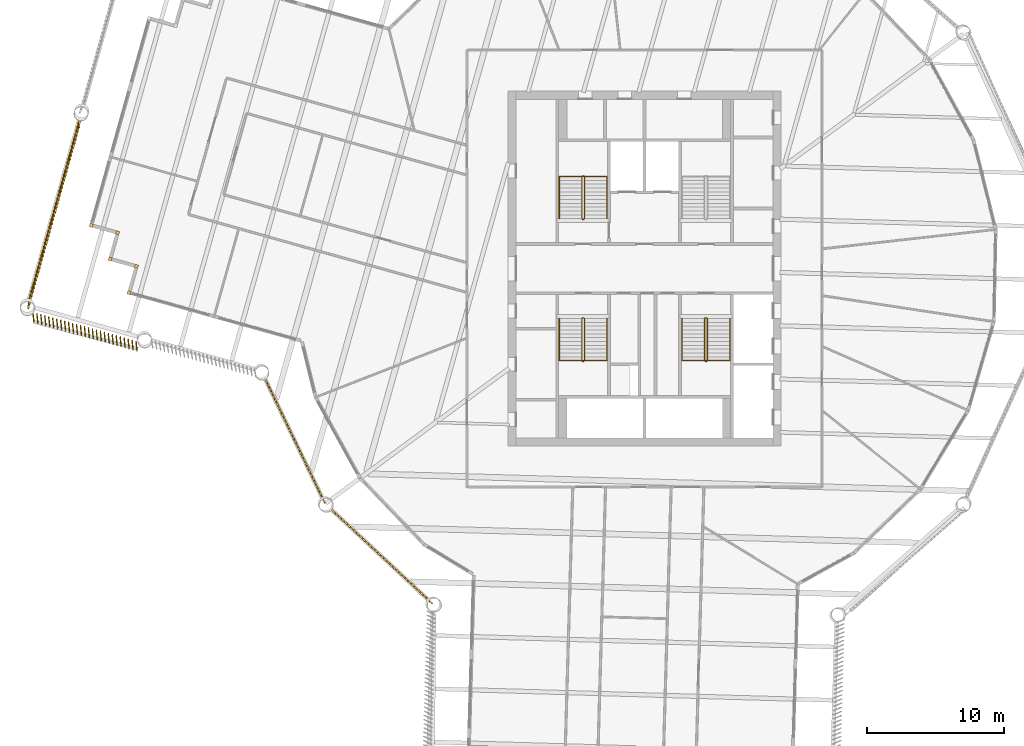
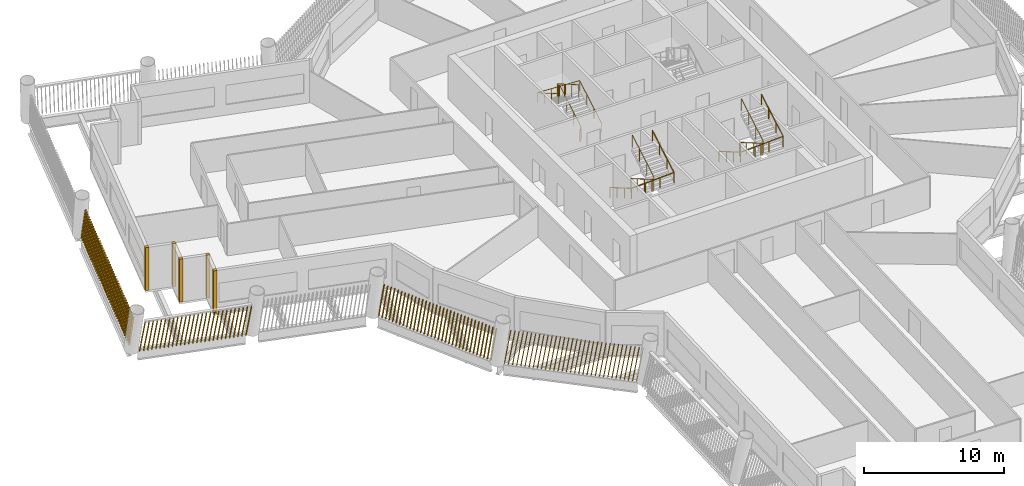
# One storey, part 12 of 15: 9 shading devices, 6 railings.
"""IFC4 building model written with IfcOpenShell, lengths in metres."""

from ifc_helpers import new_model, si_unit, direction, frame, frame_2d, origin, origin_2d, place, context, subcontext, project, spatial, rectangle, circle, composite_profile, extrude, material, type_object, element, save


model = new_model("IFC4")

# Units and contexts
model_context = context("Model", 3, precision=1e-05, world=origin(), true_north=direction((0.0, 1.0)))
body_context = subcontext(model_context, "Body", "Model", "MODEL_VIEW")
ifc_project = project(units=[si_unit("LENGTHUNIT", "METRE"), si_unit("AREAUNIT", "SQUARE_METRE"), si_unit("VOLUMEUNIT", "CUBIC_METRE"), si_unit("PLANEANGLEUNIT", "RADIAN"), si_unit("MASSUNIT", "GRAM", prefix="KILO")], contexts=[model_context])

# Site, building, storey
site_placement = place(None, origin())
site = spatial("IfcSite", under=ifc_project, at=site_placement, CompositionType="ELEMENT")
building_placement = place(site_placement, origin())
building = spatial("IfcBuilding", under=site, at=building_placement, Name="Tarsis Ring Headquarters", CompositionType="ELEMENT")
storey_placement = place(building_placement, frame((0.0, 0.0, 219.89990234375)))
storey = spatial("IfcBuildingStorey", under=building, at=storey_placement, Name="L51", CompositionType="ELEMENT", Elevation=219.89990234375)

# Railings
ifc_material_1 = material(Name="Steel S355", Category="steel")
railing_type_1 = type_object("IfcRailingType", Name="Core stair guard 1100", PredefinedType="GUARDRAIL", material=ifc_material_1)
railing_1_placement = place(storey_placement, frame((-4.5400390625, 3.610107421875, 0.0)))
element("IfcRailing", 1, at=railing_1_placement, inside=storey, type_object=railing_type_1, Name="L51 ST1 stair guard 1", PredefinedType="GUARDRAIL", context=body_context, shape_type="SweptSolid", body=[
    extrude(circle(Radius=0.02392578125, at=origin_2d()), frame((0.0, 0.0, 1.076171875), z_axis=(1.0, 0.0, 0.0), x_axis=(0.0, 1.0, 0.0)), (0.0, 0.0, 1.0), 0.080078125),
    extrude(circle(Radius=0.02392578125, at=origin_2d()), frame((0.080078125, 0.0, 1.076171875), z_axis=(0.282336740067, 0.280959487676, 0.917250092119), x_axis=(-0.705375805398, 0.708833529934, 0.0)), (0.0, 0.0, 1.0), 0.17724609375),
    extrude(circle(Radius=0.02392578125, at=origin_2d()), frame((0.130126953125, 0.0498046875, 1.23876953125), z_axis=(0.0, 0.864890721111, 0.501960198159), x_axis=(-1.0, 0.0, 0.0)), (0.0, 0.0, 1.0), 3.561279296875),
    extrude(circle(Radius=0.02392578125, at=origin_2d()), frame((0.130126953125, 3.1298828125, 3.0263671875), z_axis=(-0.707106781187, 0.707106781187, 0.0), x_axis=(-0.707106781187, -0.707106781187, 0.0)), (0.0, 0.0, 1.0), 0.07080078125),
    extrude(circle(Radius=0.02392578125, at=origin_2d()), frame((0.080078125, 3.179931640625, 3.0263671875), z_axis=(-1.0, 0.0, 0.0), x_axis=(0.0, -1.0, 0.0)), (0.0, 0.0, 1.0), 0.080078125),
    extrude(circle(Radius=0.02392578125, at=origin_2d()), frame((0.0, 3.179931640625, 3.0263671875), z_axis=(-0.282583949758, -0.282583949758, 0.916674763849), x_axis=(0.707106781187, -0.707106781187, 0.0)), (0.0, 0.0, 1.0), 0.177001953125),
    extrude(circle(Radius=0.02392578125, at=origin_2d()), frame((-0.050048828125, 3.1298828125, 3.1884765625), z_axis=(0.0, -0.864890721111, 0.501960198159), x_axis=(1.0, 0.0, 0.0)), (0.0, 0.0, 1.0), 3.561279296875),
    extrude(circle(Radius=0.02099609375, at=origin_2d()), origin(), (0.0, 0.0, 1.0), 1.052001953125),
    extrude(circle(Radius=0.02099609375, at=origin_2d()), frame((0.080078125, 0.0, 0.0)), (0.0, 0.0, 1.0), 1.052001953125),
    extrude(circle(Radius=0.02099609375, at=origin_2d()), frame((0.130126953125, 0.0498046875, 0.16259765625)), (0.0, 0.0, 1.0), 1.052001953125),
    extrude(circle(Radius=0.02099609375, at=origin_2d()), frame((0.130126953125, 1.076416015625, 0.758544921875)), (0.0, 0.0, 1.0), 1.052001953125),
    extrude(circle(Radius=0.02099609375, at=origin_2d()), frame((0.130126953125, 2.103271484375, 1.354248046875)), (0.0, 0.0, 1.0), 1.052001953125),
    extrude(circle(Radius=0.02099609375, at=origin_2d()), frame((0.130126953125, 3.1298828125, 1.9501953125)), (0.0, 0.0, 1.0), 1.052001953125),
    extrude(circle(Radius=0.02099609375, at=origin_2d()), frame((0.080078125, 3.179931640625, 1.9501953125)), (0.0, 0.0, 1.0), 1.052001953125),
    extrude(circle(Radius=0.02099609375, at=origin_2d()), frame((0.0, 3.179931640625, 1.9501953125)), (0.0, 0.0, 1.0), 1.052001953125),
    extrude(circle(Radius=0.02099609375, at=origin_2d()), frame((-0.050048828125, 3.1298828125, 2.112548828125)), (0.0, 0.0, 1.0), 1.052001953125),
    extrude(circle(Radius=0.02099609375, at=origin_2d()), frame((-0.050048828125, 2.103271484375, 2.70849609375)), (0.0, 0.0, 1.0), 1.052001953125),
    extrude(circle(Radius=0.02099609375, at=origin_2d()), frame((-0.050048828125, 1.076416015625, 3.30419921875)), (0.0, 0.0, 1.0), 1.052001953125),
    extrude(circle(Radius=0.02099609375, at=origin_2d()), frame((-0.050048828125, 0.0498046875, 3.900146484375)), (0.0, 0.0, 1.0), 1.052001953125),
])
railing_2_placement = place(storey_placement, frame((-4.4599609375, -3.610107421875, 0.0)))
element("IfcRailing", 2, at=railing_2_placement, inside=storey, type_object=railing_type_1, Name="L51 ST3 stair guard 1", PredefinedType="GUARDRAIL", context=body_context, shape_type="SweptSolid", body=[
    extrude(circle(Radius=0.02392578125, at=origin_2d()), frame((0.0, 0.0, 1.076171875), z_axis=(-1.0, 0.0, 0.0), x_axis=(0.0, -1.0, 0.0)), (0.0, 0.0, 1.0), 0.080078125),
    extrude(circle(Radius=0.02392578125, at=origin_2d()), frame((-0.080078125, 0.0, 1.076171875), z_axis=(-0.282336740067, -0.280959487676, 0.917250092119), x_axis=(0.705375805398, -0.708833529934, 0.0)), (0.0, 0.0, 1.0), 0.17724609375),
    extrude(circle(Radius=0.02392578125, at=origin_2d()), frame((-0.130126953125, -0.0498046875, 1.23876953125), z_axis=(0.0, -0.864890721111, 0.501960198159), x_axis=(1.0, 0.0, 0.0)), (0.0, 0.0, 1.0), 3.561279296875),
    extrude(circle(Radius=0.02392578125, at=origin_2d()), frame((-0.130126953125, -3.1298828125, 3.0263671875), z_axis=(0.707106781187, -0.707106781187, 0.0), x_axis=(0.707106781187, 0.707106781187, 0.0)), (0.0, 0.0, 1.0), 0.07080078125),
    extrude(circle(Radius=0.02392578125, at=origin_2d()), frame((-0.080078125, -3.179931640625, 3.0263671875), z_axis=(1.0, 0.0, 0.0), x_axis=(0.0, 1.0, 0.0)), (0.0, 0.0, 1.0), 0.080078125),
    extrude(circle(Radius=0.02392578125, at=origin_2d()), frame((0.0, -3.179931640625, 3.0263671875), z_axis=(0.282583949758, 0.282583949758, 0.916674763849), x_axis=(-0.707106781187, 0.707106781187, 0.0)), (0.0, 0.0, 1.0), 0.177001953125),
    extrude(circle(Radius=0.02392578125, at=origin_2d()), frame((0.050048828125, -3.1298828125, 3.1884765625), z_axis=(0.0, 0.864890721111, 0.501960198159), x_axis=(-1.0, 0.0, 0.0)), (0.0, 0.0, 1.0), 3.561279296875),
    extrude(circle(Radius=0.02099609375, at=origin_2d()), origin(), (0.0, 0.0, 1.0), 1.052001953125),
    extrude(circle(Radius=0.02099609375, at=origin_2d()), frame((-0.080078125, 0.0, 0.0)), (0.0, 0.0, 1.0), 1.052001953125),
    extrude(circle(Radius=0.02099609375, at=origin_2d()), frame((-0.130126953125, -0.0498046875, 0.16259765625)), (0.0, 0.0, 1.0), 1.052001953125),
    extrude(circle(Radius=0.02099609375, at=origin_2d()), frame((-0.130126953125, -1.076416015625, 0.758544921875)), (0.0, 0.0, 1.0), 1.052001953125),
    extrude(circle(Radius=0.02099609375, at=origin_2d()), frame((-0.130126953125, -2.103271484375, 1.354248046875)), (0.0, 0.0, 1.0), 1.052001953125),
    extrude(circle(Radius=0.02099609375, at=origin_2d()), frame((-0.130126953125, -3.1298828125, 1.9501953125)), (0.0, 0.0, 1.0), 1.052001953125),
    extrude(circle(Radius=0.02099609375, at=origin_2d()), frame((-0.080078125, -3.179931640625, 1.9501953125)), (0.0, 0.0, 1.0), 1.052001953125),
    extrude(circle(Radius=0.02099609375, at=origin_2d()), frame((0.0, -3.179931640625, 1.9501953125)), (0.0, 0.0, 1.0), 1.052001953125),
    extrude(circle(Radius=0.02099609375, at=origin_2d()), frame((0.050048828125, -3.1298828125, 2.112548828125)), (0.0, 0.0, 1.0), 1.052001953125),
    extrude(circle(Radius=0.02099609375, at=origin_2d()), frame((0.050048828125, -2.103271484375, 2.70849609375)), (0.0, 0.0, 1.0), 1.052001953125),
    extrude(circle(Radius=0.02099609375, at=origin_2d()), frame((0.050048828125, -1.076416015625, 3.30419921875)), (0.0, 0.0, 1.0), 1.052001953125),
    extrude(circle(Radius=0.02099609375, at=origin_2d()), frame((0.050048828125, -0.0498046875, 3.900146484375)), (0.0, 0.0, 1.0), 1.052001953125),
])
railing_3_placement = place(storey_placement, frame((4.5400390625, -3.610107421875, 0.0)))
element("IfcRailing", 3, at=railing_3_placement, inside=storey, type_object=railing_type_1, Name="L51 ST4 stair guard 1", PredefinedType="GUARDRAIL", context=body_context, shape_type="SweptSolid", body=[
    extrude(circle(Radius=0.02392578125, at=origin_2d()), frame((0.0, 0.0, 1.076171875), z_axis=(-1.0, 0.0, 0.0), x_axis=(0.0, -1.0, 0.0)), (0.0, 0.0, 1.0), 0.080078125),
    extrude(circle(Radius=0.02392578125, at=origin_2d()), frame((-0.080078125, 0.0, 1.076171875), z_axis=(-0.282336740067, -0.280959487676, 0.917250092119), x_axis=(0.705375805398, -0.708833529934, 0.0)), (0.0, 0.0, 1.0), 0.17724609375),
    extrude(circle(Radius=0.02392578125, at=origin_2d()), frame((-0.130126953125, -0.0498046875, 1.23876953125), z_axis=(0.0, -0.864890721111, 0.501960198159), x_axis=(1.0, 0.0, 0.0)), (0.0, 0.0, 1.0), 3.561279296875),
    extrude(circle(Radius=0.02392578125, at=origin_2d()), frame((-0.130126953125, -3.1298828125, 3.0263671875), z_axis=(0.707106781187, -0.707106781187, 0.0), x_axis=(0.707106781187, 0.707106781187, 0.0)), (0.0, 0.0, 1.0), 0.07080078125),
    extrude(circle(Radius=0.02392578125, at=origin_2d()), frame((-0.080078125, -3.179931640625, 3.0263671875), z_axis=(1.0, 0.0, 0.0), x_axis=(0.0, 1.0, 0.0)), (0.0, 0.0, 1.0), 0.080078125),
    extrude(circle(Radius=0.02392578125, at=origin_2d()), frame((0.0, -3.179931640625, 3.0263671875), z_axis=(0.282583949758, 0.282583949758, 0.916674763849), x_axis=(-0.707106781187, 0.707106781187, 0.0)), (0.0, 0.0, 1.0), 0.177001953125),
    extrude(circle(Radius=0.02392578125, at=origin_2d()), frame((0.050048828125, -3.1298828125, 3.1884765625), z_axis=(0.0, 0.864890721111, 0.501960198159), x_axis=(-1.0, 0.0, 0.0)), (0.0, 0.0, 1.0), 3.561279296875),
    extrude(circle(Radius=0.02099609375, at=origin_2d()), origin(), (0.0, 0.0, 1.0), 1.052001953125),
    extrude(circle(Radius=0.02099609375, at=origin_2d()), frame((-0.080078125, 0.0, 0.0)), (0.0, 0.0, 1.0), 1.052001953125),
    extrude(circle(Radius=0.02099609375, at=origin_2d()), frame((-0.130126953125, -0.0498046875, 0.16259765625)), (0.0, 0.0, 1.0), 1.052001953125),
    extrude(circle(Radius=0.02099609375, at=origin_2d()), frame((-0.130126953125, -1.076416015625, 0.758544921875)), (0.0, 0.0, 1.0), 1.052001953125),
    extrude(circle(Radius=0.02099609375, at=origin_2d()), frame((-0.130126953125, -2.103271484375, 1.354248046875)), (0.0, 0.0, 1.0), 1.052001953125),
    extrude(circle(Radius=0.02099609375, at=origin_2d()), frame((-0.130126953125, -3.1298828125, 1.9501953125)), (0.0, 0.0, 1.0), 1.052001953125),
    extrude(circle(Radius=0.02099609375, at=origin_2d()), frame((-0.080078125, -3.179931640625, 1.9501953125)), (0.0, 0.0, 1.0), 1.052001953125),
    extrude(circle(Radius=0.02099609375, at=origin_2d()), frame((0.0, -3.179931640625, 1.9501953125)), (0.0, 0.0, 1.0), 1.052001953125),
    extrude(circle(Radius=0.02099609375, at=origin_2d()), frame((0.050048828125, -3.1298828125, 2.112548828125)), (0.0, 0.0, 1.0), 1.052001953125),
    extrude(circle(Radius=0.02099609375, at=origin_2d()), frame((0.050048828125, -2.103271484375, 2.70849609375)), (0.0, 0.0, 1.0), 1.052001953125),
    extrude(circle(Radius=0.02099609375, at=origin_2d()), frame((0.050048828125, -1.076416015625, 3.30419921875)), (0.0, 0.0, 1.0), 1.052001953125),
    extrude(circle(Radius=0.02099609375, at=origin_2d()), frame((0.050048828125, -0.0498046875, 3.900146484375)), (0.0, 0.0, 1.0), 1.052001953125),
])
railing_type_2 = type_object("IfcRailingType", Name="Core stair handrail 900", PredefinedType="HANDRAIL", material=ifc_material_1)
railing_4_placement = place(storey_placement, frame((-2.75, 3.659912109375, 0.16259765625)))
element("IfcRailing", 4, at=railing_4_placement, inside=storey, type_object=railing_type_2, Name="L51 ST1 stair handrail 1", PredefinedType="HANDRAIL", context=body_context, shape_type="SweptSolid", body=[
    extrude(circle(Radius=0.02392578125, at=origin_2d()), frame((0.0, 0.0, 0.8759765625), z_axis=(0.0, 0.864890721111, 0.501960198159), x_axis=(-1.0, 0.0, 0.0)), (0.0, 0.0, 1.0), 3.561279296875),
    extrude(circle(Radius=0.02392578125, at=origin_2d()), frame((0.0, 3.080078125, 2.66357421875), z_axis=(-0.998925869279, 0.0, 0.04633689335), x_axis=(0.0, -1.0, 0.0)), (0.0, 0.0, 1.0), 3.503662109375),
    extrude(circle(Radius=0.02392578125, at=origin_2d()), frame((-3.5, 3.080078125, 2.82568359375), z_axis=(0.0, -0.864890721111, 0.501960198159), x_axis=(1.0, 0.0, 0.0)), (0.0, 0.0, 1.0), 3.561279296875),
    extrude(circle(Radius=0.02099609375, at=origin_2d()), origin(), (0.0, 0.0, 1.0), 0.851806640625),
    extrude(circle(Radius=0.02099609375, at=origin_2d()), frame((0.0, 1.026611328125, 0.595947265625)), (0.0, 0.0, 1.0), 0.851806640625),
    extrude(circle(Radius=0.02099609375, at=origin_2d()), frame((0.0, 2.053466796875, 1.191650390625)), (0.0, 0.0, 1.0), 0.851806640625),
    extrude(circle(Radius=0.02099609375, at=origin_2d()), frame((0.0, 3.080078125, 1.78759765625)), (0.0, 0.0, 1.0), 0.851806640625),
    extrude(circle(Radius=0.02099609375, at=origin_2d()), frame((-1.166748046875, 3.080078125, 1.841796875)), (0.0, 0.0, 1.0), 0.851806640625),
    extrude(circle(Radius=0.02099609375, at=origin_2d()), frame((-2.333251953125, 3.080078125, 1.895751953125)), (0.0, 0.0, 1.0), 0.851806640625),
    extrude(circle(Radius=0.02099609375, at=origin_2d()), frame((-3.5, 3.080078125, 1.949951171875)), (0.0, 0.0, 1.0), 0.851806640625),
    extrude(circle(Radius=0.02099609375, at=origin_2d()), frame((-3.5, 2.053466796875, 2.5458984375)), (0.0, 0.0, 1.0), 0.851806640625),
    extrude(circle(Radius=0.02099609375, at=origin_2d()), frame((-3.5, 1.026611328125, 3.1416015625)), (0.0, 0.0, 1.0), 0.851806640625),
    extrude(circle(Radius=0.02099609375, at=origin_2d()), frame((-3.5, 0.0, 3.737548828125)), (0.0, 0.0, 1.0), 0.851806640625),
])
railing_5_placement = place(storey_placement, frame((-6.25, -3.659912109375, 0.16259765625)))
element("IfcRailing", 5, at=railing_5_placement, inside=storey, type_object=railing_type_2, Name="L51 ST3 stair handrail 1", PredefinedType="HANDRAIL", context=body_context, shape_type="SweptSolid", body=[
    extrude(circle(Radius=0.02392578125, at=origin_2d()), frame((0.0, 0.0, 0.8759765625), z_axis=(0.0, -0.864890721111, 0.501960198159), x_axis=(1.0, 0.0, 0.0)), (0.0, 0.0, 1.0), 3.561279296875),
    extrude(circle(Radius=0.02392578125, at=origin_2d()), frame((0.0, -3.080078125, 2.66357421875), z_axis=(0.998925869279, 0.0, 0.04633689335), x_axis=(0.0, 1.0, 0.0)), (0.0, 0.0, 1.0), 3.503662109375),
    extrude(circle(Radius=0.02392578125, at=origin_2d()), frame((3.5, -3.080078125, 2.82568359375), z_axis=(0.0, 0.864890721111, 0.501960198159), x_axis=(-1.0, 0.0, 0.0)), (0.0, 0.0, 1.0), 3.561279296875),
    extrude(circle(Radius=0.02099609375, at=origin_2d()), origin(), (0.0, 0.0, 1.0), 0.851806640625),
    extrude(circle(Radius=0.02099609375, at=origin_2d()), frame((0.0, -1.026611328125, 0.595947265625)), (0.0, 0.0, 1.0), 0.851806640625),
    extrude(circle(Radius=0.02099609375, at=origin_2d()), frame((0.0, -2.053466796875, 1.191650390625)), (0.0, 0.0, 1.0), 0.851806640625),
    extrude(circle(Radius=0.02099609375, at=origin_2d()), frame((0.0, -3.080078125, 1.78759765625)), (0.0, 0.0, 1.0), 0.851806640625),
    extrude(circle(Radius=0.02099609375, at=origin_2d()), frame((1.166748046875, -3.080078125, 1.841796875)), (0.0, 0.0, 1.0), 0.851806640625),
    extrude(circle(Radius=0.02099609375, at=origin_2d()), frame((2.333251953125, -3.080078125, 1.895751953125)), (0.0, 0.0, 1.0), 0.851806640625),
    extrude(circle(Radius=0.02099609375, at=origin_2d()), frame((3.5, -3.080078125, 1.949951171875)), (0.0, 0.0, 1.0), 0.851806640625),
    extrude(circle(Radius=0.02099609375, at=origin_2d()), frame((3.5, -2.053466796875, 2.5458984375)), (0.0, 0.0, 1.0), 0.851806640625),
    extrude(circle(Radius=0.02099609375, at=origin_2d()), frame((3.5, -1.026611328125, 3.1416015625)), (0.0, 0.0, 1.0), 0.851806640625),
    extrude(circle(Radius=0.02099609375, at=origin_2d()), frame((3.5, 0.0, 3.737548828125)), (0.0, 0.0, 1.0), 0.851806640625),
])
railing_6_placement = place(storey_placement, frame((2.75, -3.659912109375, 0.16259765625)))
element("IfcRailing", 6, at=railing_6_placement, inside=storey, type_object=railing_type_2, Name="L51 ST4 stair handrail 1", PredefinedType="HANDRAIL", context=body_context, shape_type="SweptSolid", body=[
    extrude(circle(Radius=0.02392578125, at=origin_2d()), frame((0.0, 0.0, 0.8759765625), z_axis=(0.0, -0.864890721111, 0.501960198159), x_axis=(1.0, 0.0, 0.0)), (0.0, 0.0, 1.0), 3.561279296875),
    extrude(circle(Radius=0.02392578125, at=origin_2d()), frame((0.0, -3.080078125, 2.66357421875), z_axis=(0.998925869279, 0.0, 0.04633689335), x_axis=(0.0, 1.0, 0.0)), (0.0, 0.0, 1.0), 3.503662109375),
    extrude(circle(Radius=0.02392578125, at=origin_2d()), frame((3.5, -3.080078125, 2.82568359375), z_axis=(0.0, 0.864890721111, 0.501960198159), x_axis=(-1.0, 0.0, 0.0)), (0.0, 0.0, 1.0), 3.561279296875),
    extrude(circle(Radius=0.02099609375, at=origin_2d()), origin(), (0.0, 0.0, 1.0), 0.851806640625),
    extrude(circle(Radius=0.02099609375, at=origin_2d()), frame((0.0, -1.026611328125, 0.595947265625)), (0.0, 0.0, 1.0), 0.851806640625),
    extrude(circle(Radius=0.02099609375, at=origin_2d()), frame((0.0, -2.053466796875, 1.191650390625)), (0.0, 0.0, 1.0), 0.851806640625),
    extrude(circle(Radius=0.02099609375, at=origin_2d()), frame((0.0, -3.080078125, 1.78759765625)), (0.0, 0.0, 1.0), 0.851806640625),
    extrude(circle(Radius=0.02099609375, at=origin_2d()), frame((1.166748046875, -3.080078125, 1.841796875)), (0.0, 0.0, 1.0), 0.851806640625),
    extrude(circle(Radius=0.02099609375, at=origin_2d()), frame((2.333251953125, -3.080078125, 1.895751953125)), (0.0, 0.0, 1.0), 0.851806640625),
    extrude(circle(Radius=0.02099609375, at=origin_2d()), frame((3.5, -3.080078125, 1.949951171875)), (0.0, 0.0, 1.0), 0.851806640625),
    extrude(circle(Radius=0.02099609375, at=origin_2d()), frame((3.5, -2.053466796875, 2.5458984375)), (0.0, 0.0, 1.0), 0.851806640625),
    extrude(circle(Radius=0.02099609375, at=origin_2d()), frame((3.5, -1.026611328125, 3.1416015625)), (0.0, 0.0, 1.0), 0.851806640625),
    extrude(circle(Radius=0.02099609375, at=origin_2d()), frame((3.5, 0.0, 3.737548828125)), (0.0, 0.0, 1.0), 0.851806640625),
])

# Shading devices
ifc_material_2 = material(Name="Terracotta baguette", Category="masonry")
shading_device_type_1 = type_object("IfcShadingDeviceType", Name="Terracotta baguette screen", PredefinedType="USERDEFINED", material=ifc_material_2)
shading_device_1_placement = place(storey_placement, frame((-23.027099609375, -17.562255859375, 0.0), z_axis=(0.0, 0.0, 1.0), x_axis=(0.731892567146, -0.681424109931, 0.0)))
element("IfcShadingDevice", 7, at=shading_device_1_placement, inside=storey, type_object=shading_device_type_1, Name="Baguette screen L51-00", ObjectType="Terracotta baguette screen", PredefinedType="USERDEFINED", context=body_context, shape_type="SweptSolid", body=[
    extrude(composite_profile([rectangle(XDim=0.06005859375, YDim=0.1201171875, at=frame_2d((0.030029296875, 0.0))), rectangle(XDim=0.06005859375, YDim=0.1201171875, at=frame_2d((0.33349609375, 0.0))), rectangle(XDim=0.06005859375, YDim=0.1201171875, at=frame_2d((0.636962890625, 0.0))), rectangle(XDim=0.06005859375, YDim=0.1201171875, at=frame_2d((0.9404296875, 0.0))), rectangle(XDim=0.06005859375, YDim=0.1201171875, at=frame_2d((1.243896484375, 0.0))), rectangle(XDim=0.06005859375, YDim=0.1201171875, at=frame_2d((1.54736328125, 0.0))), rectangle(XDim=0.06005859375, YDim=0.1201171875, at=frame_2d((1.85107421875, 0.0))), rectangle(XDim=0.06005859375, YDim=0.1201171875, at=frame_2d((2.154541015625, 0.0))), rectangle(XDim=0.06005859375, YDim=0.1201171875, at=frame_2d((2.4580078125, 0.0))), rectangle(XDim=0.06005859375, YDim=0.1201171875, at=frame_2d((2.761474609375, 0.0))), rectangle(XDim=0.06005859375, YDim=0.1201171875, at=frame_2d((3.06494140625, 0.0))), rectangle(XDim=0.06005859375, YDim=0.1201171875, at=frame_2d((3.368408203125, 0.0))), rectangle(XDim=0.06005859375, YDim=0.1201171875, at=frame_2d((3.671875, 0.0))), rectangle(XDim=0.06005859375, YDim=0.1201171875, at=frame_2d((3.975341796875, 0.0))), rectangle(XDim=0.06005859375, YDim=0.1201171875, at=frame_2d((4.27880859375, 0.0))), rectangle(XDim=0.06005859375, YDim=0.1201171875, at=frame_2d((4.582275390625, 0.0))), rectangle(XDim=0.06005859375, YDim=0.1201171875, at=frame_2d((4.8857421875, 0.0))), rectangle(XDim=0.06005859375, YDim=0.1201171875, at=frame_2d((5.189453125, 0.0))), rectangle(XDim=0.06005859375, YDim=0.1201171875, at=frame_2d((5.492919921875, 0.0))), rectangle(XDim=0.06005859375, YDim=0.1201171875, at=frame_2d((5.79638671875, 0.0))), rectangle(XDim=0.06005859375, YDim=0.1201171875, at=frame_2d((6.099853515625, 0.0))), rectangle(XDim=0.06005859375, YDim=0.1201171875, at=frame_2d((6.4033203125, 0.0))), rectangle(XDim=0.06005859375, YDim=0.1201171875, at=frame_2d((6.706787109375, 0.0))), rectangle(XDim=0.06005859375, YDim=0.1201171875, at=frame_2d((7.01025390625, 0.0))), rectangle(XDim=0.06005859375, YDim=0.1201171875, at=frame_2d((7.313720703125, 0.0))), rectangle(XDim=0.06005859375, YDim=0.1201171875, at=frame_2d((7.6171875, 0.0))), rectangle(XDim=0.06005859375, YDim=0.1201171875, at=frame_2d((7.920654296875, 0.0))), rectangle(XDim=0.06005859375, YDim=0.1201171875, at=frame_2d((8.224365234375, 0.0))), rectangle(XDim=0.06005859375, YDim=0.1201171875, at=frame_2d((8.52783203125, 0.0))), rectangle(XDim=0.06005859375, YDim=0.1201171875, at=frame_2d((8.831298828125, 0.0))), rectangle(XDim=0.06005859375, YDim=0.1201171875, at=frame_2d((9.134765625, 0.0))), rectangle(XDim=0.06005859375, YDim=0.1201171875, at=frame_2d((9.438232421875, 0.0))), rectangle(XDim=0.06005859375, YDim=0.1201171875, at=frame_2d((9.74169921875, 0.0)))]), origin(), (0.160019338227, 0.001340093384, 0.98711297), 2.98876953125),
])
shading_device_2_placement = place(storey_placement, frame((-41.35009765625, 11.05712890625, 0.0), z_axis=(0.0, 0.0, 1.0), x_axis=(-0.26959752322, -0.962972136223, 0.0)))
element("IfcShadingDevice", 8, at=shading_device_2_placement, inside=storey, type_object=shading_device_type_1, Name="Baguette screen L51-18", ObjectType="Terracotta baguette screen", PredefinedType="USERDEFINED", context=body_context, shape_type="SweptSolid", body=[
    extrude(composite_profile([rectangle(XDim=0.06005859375, YDim=0.1201171875, at=frame_2d((0.030029296875, 0.0))), rectangle(XDim=0.06005859375, YDim=0.1201171875, at=frame_2d((0.33544921875, 0.0))), rectangle(XDim=0.06005859375, YDim=0.1201171875, at=frame_2d((0.640625, 0.0))), rectangle(XDim=0.06005859375, YDim=0.1201171875, at=frame_2d((0.946044921875, 0.0))), rectangle(XDim=0.06005859375, YDim=0.1201171875, at=frame_2d((1.25146484375, 0.0))), rectangle(XDim=0.06005859375, YDim=0.1201171875, at=frame_2d((1.556640625, 0.0))), rectangle(XDim=0.06005859375, YDim=0.1201171875, at=frame_2d((1.862060546875, 0.0))), rectangle(XDim=0.06005859375, YDim=0.1201171875, at=frame_2d((2.16748046875, 0.0))), rectangle(XDim=0.06005859375, YDim=0.1201171875, at=frame_2d((2.47265625, 0.0))), rectangle(XDim=0.06005859375, YDim=0.1201171875, at=frame_2d((2.778076171875, 0.0))), rectangle(XDim=0.06005859375, YDim=0.1201171875, at=frame_2d((3.08349609375, 0.0))), rectangle(XDim=0.06005859375, YDim=0.1201171875, at=frame_2d((3.388671875, 0.0))), rectangle(XDim=0.06005859375, YDim=0.1201171875, at=frame_2d((3.694091796875, 0.0))), rectangle(XDim=0.06005859375, YDim=0.1201171875, at=frame_2d((3.99951171875, 0.0))), rectangle(XDim=0.06005859375, YDim=0.1201171875, at=frame_2d((4.3046875, 0.0))), rectangle(XDim=0.06005859375, YDim=0.1201171875, at=frame_2d((4.610107421875, 0.0))), rectangle(XDim=0.06005859375, YDim=0.1201171875, at=frame_2d((4.91552734375, 0.0))), rectangle(XDim=0.06005859375, YDim=0.1201171875, at=frame_2d((5.220703125, 0.0))), rectangle(XDim=0.06005859375, YDim=0.1201171875, at=frame_2d((5.526123046875, 0.0))), rectangle(XDim=0.06005859375, YDim=0.1201171875, at=frame_2d((5.83154296875, 0.0))), rectangle(XDim=0.06005859375, YDim=0.1201171875, at=frame_2d((6.13671875, 0.0))), rectangle(XDim=0.06005859375, YDim=0.1201171875, at=frame_2d((6.442138671875, 0.0))), rectangle(XDim=0.06005859375, YDim=0.1201171875, at=frame_2d((6.74755859375, 0.0))), rectangle(XDim=0.06005859375, YDim=0.1201171875, at=frame_2d((7.052734375, 0.0))), rectangle(XDim=0.06005859375, YDim=0.1201171875, at=frame_2d((7.358154296875, 0.0))), rectangle(XDim=0.06005859375, YDim=0.1201171875, at=frame_2d((7.66357421875, 0.0))), rectangle(XDim=0.06005859375, YDim=0.1201171875, at=frame_2d((7.96875, 0.0))), rectangle(XDim=0.06005859375, YDim=0.1201171875, at=frame_2d((8.274169921875, 0.0))), rectangle(XDim=0.06005859375, YDim=0.1201171875, at=frame_2d((8.57958984375, 0.0))), rectangle(XDim=0.06005859375, YDim=0.1201171875, at=frame_2d((8.884765625, 0.0))), rectangle(XDim=0.06005859375, YDim=0.1201171875, at=frame_2d((9.190185546875, 0.0))), rectangle(XDim=0.06005859375, YDim=0.1201171875, at=frame_2d((9.49560546875, 0.0))), rectangle(XDim=0.06005859375, YDim=0.1201171875, at=frame_2d((9.80078125, 0.0))), rectangle(XDim=0.06005859375, YDim=0.1201171875, at=frame_2d((10.106201171875, 0.0))), rectangle(XDim=0.06005859375, YDim=0.1201171875, at=frame_2d((10.41162109375, 0.0))), rectangle(XDim=0.06005859375, YDim=0.1201171875, at=frame_2d((10.716796875, 0.0))), rectangle(XDim=0.06005859375, YDim=0.1201171875, at=frame_2d((11.022216796875, 0.0))), rectangle(XDim=0.06005859375, YDim=0.1201171875, at=frame_2d((11.32763671875, 0.0))), rectangle(XDim=0.06005859375, YDim=0.1201171875, at=frame_2d((11.6328125, 0.0))), rectangle(XDim=0.06005859375, YDim=0.1201171875, at=frame_2d((11.938232421875, 0.0))), rectangle(XDim=0.06005859375, YDim=0.1201171875, at=frame_2d((12.24365234375, 0.0))), rectangle(XDim=0.06005859375, YDim=0.1201171875, at=frame_2d((12.548828125, 0.0))), rectangle(XDim=0.06005859375, YDim=0.1201171875, at=frame_2d((12.854248046875, 0.0))), rectangle(XDim=0.06005859375, YDim=0.1201171875, at=frame_2d((13.15966796875, 0.0))), rectangle(XDim=0.06005859375, YDim=0.1201171875, at=frame_2d((13.46484375, 0.0))), rectangle(XDim=0.06005859375, YDim=0.1201171875, at=frame_2d((13.770263671875, 0.0)))]), origin(), (0.235648334344, 0.042780577193, 0.970896330581), 3.03857421875),
])
shading_device_3_placement = place(storey_placement, frame((-44.824951171875, -3.20947265625, 0.0), z_axis=(0.0, 0.0, 1.0), x_axis=(0.962986992925, -0.269595575741, 0.0)))
element("IfcShadingDevice", 9, at=shading_device_3_placement, inside=storey, type_object=shading_device_type_1, Name="Baguette screen L51-19", ObjectType="Terracotta baguette screen", PredefinedType="USERDEFINED", context=body_context, shape_type="SweptSolid", body=[
    extrude(composite_profile([rectangle(XDim=0.06005859375, YDim=0.1201171875, at=frame_2d((0.030029296875, 0.0))), rectangle(XDim=0.06005859375, YDim=0.1201171875, at=frame_2d((0.33154296875, 0.0))), rectangle(XDim=0.06005859375, YDim=0.1201171875, at=frame_2d((0.63330078125, 0.0))), rectangle(XDim=0.06005859375, YDim=0.1201171875, at=frame_2d((0.934814453125, 0.0))), rectangle(XDim=0.06005859375, YDim=0.1201171875, at=frame_2d((1.236572265625, 0.0))), rectangle(XDim=0.06005859375, YDim=0.1201171875, at=frame_2d((1.5380859375, 0.0))), rectangle(XDim=0.06005859375, YDim=0.1201171875, at=frame_2d((1.83984375, 0.0))), rectangle(XDim=0.06005859375, YDim=0.1201171875, at=frame_2d((2.141357421875, 0.0))), rectangle(XDim=0.06005859375, YDim=0.1201171875, at=frame_2d((2.443115234375, 0.0))), rectangle(XDim=0.06005859375, YDim=0.1201171875, at=frame_2d((2.74462890625, 0.0))), rectangle(XDim=0.06005859375, YDim=0.1201171875, at=frame_2d((3.04638671875, 0.0))), rectangle(XDim=0.06005859375, YDim=0.1201171875, at=frame_2d((3.347900390625, 0.0))), rectangle(XDim=0.06005859375, YDim=0.1201171875, at=frame_2d((3.649658203125, 0.0))), rectangle(XDim=0.06005859375, YDim=0.1201171875, at=frame_2d((3.951171875, 0.0))), rectangle(XDim=0.06005859375, YDim=0.1201171875, at=frame_2d((4.252685546875, 0.0))), rectangle(XDim=0.06005859375, YDim=0.1201171875, at=frame_2d((4.554443359375, 0.0))), rectangle(XDim=0.06005859375, YDim=0.1201171875, at=frame_2d((4.85595703125, 0.0))), rectangle(XDim=0.06005859375, YDim=0.1201171875, at=frame_2d((5.15771484375, 0.0))), rectangle(XDim=0.06005859375, YDim=0.1201171875, at=frame_2d((5.459228515625, 0.0))), rectangle(XDim=0.06005859375, YDim=0.1201171875, at=frame_2d((5.760986328125, 0.0))), rectangle(XDim=0.06005859375, YDim=0.1201171875, at=frame_2d((6.0625, 0.0))), rectangle(XDim=0.06005859375, YDim=0.1201171875, at=frame_2d((6.3642578125, 0.0))), rectangle(XDim=0.06005859375, YDim=0.1201171875, at=frame_2d((6.665771484375, 0.0))), rectangle(XDim=0.06005859375, YDim=0.1201171875, at=frame_2d((6.967529296875, 0.0))), rectangle(XDim=0.06005859375, YDim=0.1201171875, at=frame_2d((7.26904296875, 0.0))), rectangle(XDim=0.06005859375, YDim=0.1201171875, at=frame_2d((7.57080078125, 0.0))), rectangle(XDim=0.06005859375, YDim=0.1201171875, at=frame_2d((7.872314453125, 0.0)))]), origin(), (0.085686314571, -0.211346976939, 0.973647939881), 3.030029296875),
])
shading_device_4_placement = place(storey_placement, frame((-27.843505859375, -7.964111328125, 0.0), z_axis=(0.0, 0.0, 1.0), x_axis=(0.4332792005, -0.90126171143, 0.0)))
element("IfcShadingDevice", 10, at=shading_device_4_placement, inside=storey, type_object=shading_device_type_1, Name="Baguette screen L51-21", ObjectType="Terracotta baguette screen", PredefinedType="USERDEFINED", context=body_context, shape_type="SweptSolid", body=[
    extrude(composite_profile([rectangle(XDim=0.06005859375, YDim=0.1201171875, at=frame_2d((0.030029296875, 0.0))), rectangle(XDim=0.06005859375, YDim=0.1201171875, at=frame_2d((0.33349609375, 0.0))), rectangle(XDim=0.06005859375, YDim=0.1201171875, at=frame_2d((0.636962890625, 0.0))), rectangle(XDim=0.06005859375, YDim=0.1201171875, at=frame_2d((0.9404296875, 0.0))), rectangle(XDim=0.06005859375, YDim=0.1201171875, at=frame_2d((1.243896484375, 0.0))), rectangle(XDim=0.06005859375, YDim=0.1201171875, at=frame_2d((1.54736328125, 0.0))), rectangle(XDim=0.06005859375, YDim=0.1201171875, at=frame_2d((1.85107421875, 0.0))), rectangle(XDim=0.06005859375, YDim=0.1201171875, at=frame_2d((2.154541015625, 0.0))), rectangle(XDim=0.06005859375, YDim=0.1201171875, at=frame_2d((2.4580078125, 0.0))), rectangle(XDim=0.06005859375, YDim=0.1201171875, at=frame_2d((2.761474609375, 0.0))), rectangle(XDim=0.06005859375, YDim=0.1201171875, at=frame_2d((3.06494140625, 0.0))), rectangle(XDim=0.06005859375, YDim=0.1201171875, at=frame_2d((3.368408203125, 0.0))), rectangle(XDim=0.06005859375, YDim=0.1201171875, at=frame_2d((3.671875, 0.0))), rectangle(XDim=0.06005859375, YDim=0.1201171875, at=frame_2d((3.975341796875, 0.0))), rectangle(XDim=0.06005859375, YDim=0.1201171875, at=frame_2d((4.27880859375, 0.0))), rectangle(XDim=0.06005859375, YDim=0.1201171875, at=frame_2d((4.582275390625, 0.0))), rectangle(XDim=0.06005859375, YDim=0.1201171875, at=frame_2d((4.8857421875, 0.0))), rectangle(XDim=0.06005859375, YDim=0.1201171875, at=frame_2d((5.189453125, 0.0))), rectangle(XDim=0.06005859375, YDim=0.1201171875, at=frame_2d((5.492919921875, 0.0))), rectangle(XDim=0.06005859375, YDim=0.1201171875, at=frame_2d((5.79638671875, 0.0))), rectangle(XDim=0.06005859375, YDim=0.1201171875, at=frame_2d((6.099853515625, 0.0))), rectangle(XDim=0.06005859375, YDim=0.1201171875, at=frame_2d((6.4033203125, 0.0))), rectangle(XDim=0.06005859375, YDim=0.1201171875, at=frame_2d((6.706787109375, 0.0))), rectangle(XDim=0.06005859375, YDim=0.1201171875, at=frame_2d((7.01025390625, 0.0))), rectangle(XDim=0.06005859375, YDim=0.1201171875, at=frame_2d((7.313720703125, 0.0))), rectangle(XDim=0.06005859375, YDim=0.1201171875, at=frame_2d((7.6171875, 0.0))), rectangle(XDim=0.06005859375, YDim=0.1201171875, at=frame_2d((7.920654296875, 0.0))), rectangle(XDim=0.06005859375, YDim=0.1201171875, at=frame_2d((8.224365234375, 0.0))), rectangle(XDim=0.06005859375, YDim=0.1201171875, at=frame_2d((8.52783203125, 0.0))), rectangle(XDim=0.06005859375, YDim=0.1201171875, at=frame_2d((8.831298828125, 0.0))), rectangle(XDim=0.06005859375, YDim=0.1201171875, at=frame_2d((9.134765625, 0.0))), rectangle(XDim=0.06005859375, YDim=0.1201171875, at=frame_2d((9.438232421875, 0.0))), rectangle(XDim=0.06005859375, YDim=0.1201171875, at=frame_2d((9.74169921875, 0.0)))]), origin(), (0.160019324621, 0.001338470335, 0.987112974408), 2.98876953125),
])
shading_device_type_2 = type_object("IfcShadingDeviceType", Name="Terracotta corner baguette 250x250", PredefinedType="USERDEFINED", material=ifc_material_2)
for number, where, z_axis, x_axis, name in (
    (11, (-37.748046875, -1.763671875, 0.0), (0.0, 0.0, 1.0), (-0.269592034891, -0.962974628286, 0.0), "Corner baguette L51-01"),
    (12, (-40.521728515625, 3.16650390625, 0.0), (0.0, 0.0, 1.0), (-0.269592169347, -0.962974590644, 0.0), "Corner baguette L51-37"),
    (13, (-38.595703125, 2.62744140625, 0.0), (0.0, 0.0, 1.0), (0.962974628286, -0.269592034891, 0.0), "Corner baguette L51-38"),
    (14, (-39.134765625, 0.701416015625, 0.0), (0.0, 0.0, 1.0), (-0.269592371032, -0.962974534181, 0.0), "Corner baguette L51-39"),
    (15, (-37.208984375, 0.162353515625, 0.0), (0.0, 0.0, 1.0), (0.962974665929, -0.269591900434, 0.0), "Corner baguette L51-40"),
):
    element("IfcShadingDevice", number, at=place(storey_placement, frame(where, z_axis=z_axis, x_axis=x_axis)), inside=storey, type_object=shading_device_type_2, Name=name, ObjectType="Terracotta corner baguette", PredefinedType="USERDEFINED", context=body_context, shape_type="SweptSolid", body=[
        extrude(rectangle(XDim=0.25, YDim=0.25, at=origin_2d()), origin(), (0.0, 0.0, 1.0), 3.739990234375),
    ])

save(model, "model.ifc")
